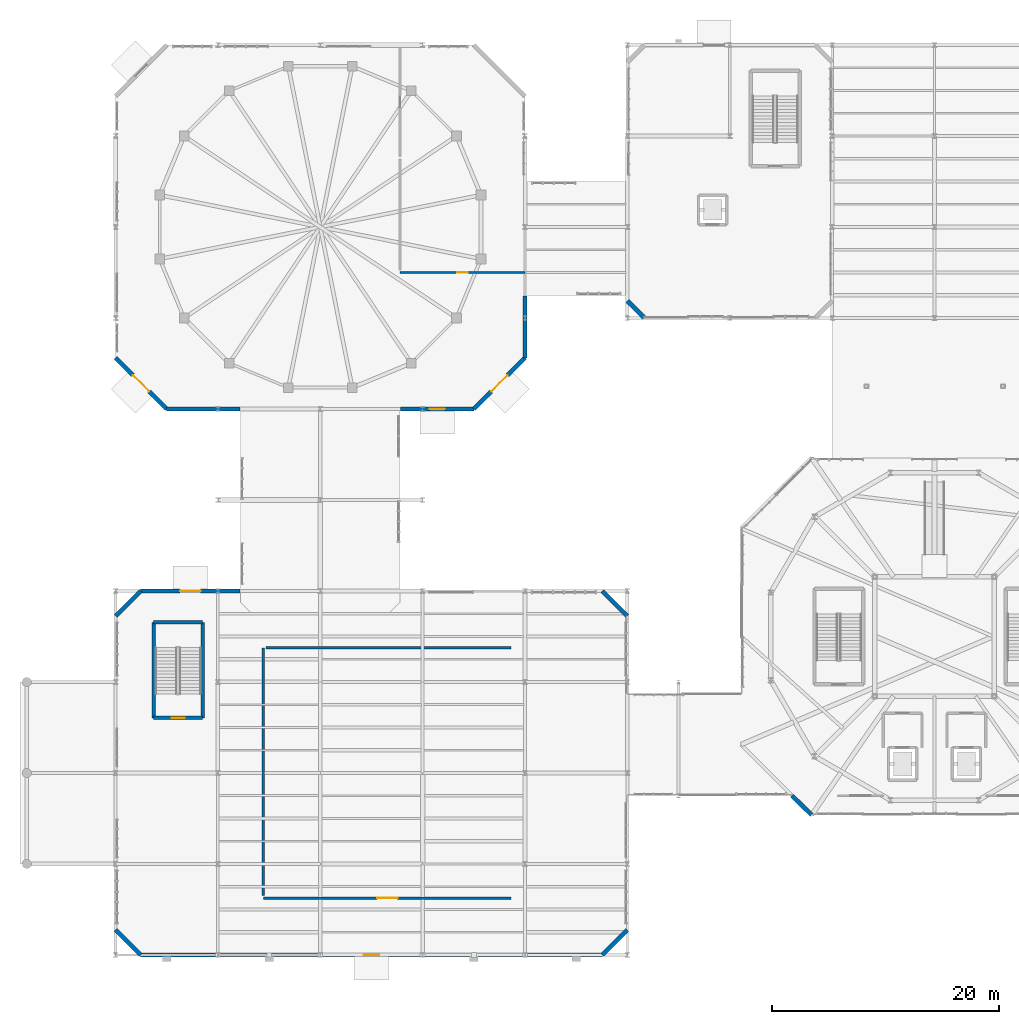
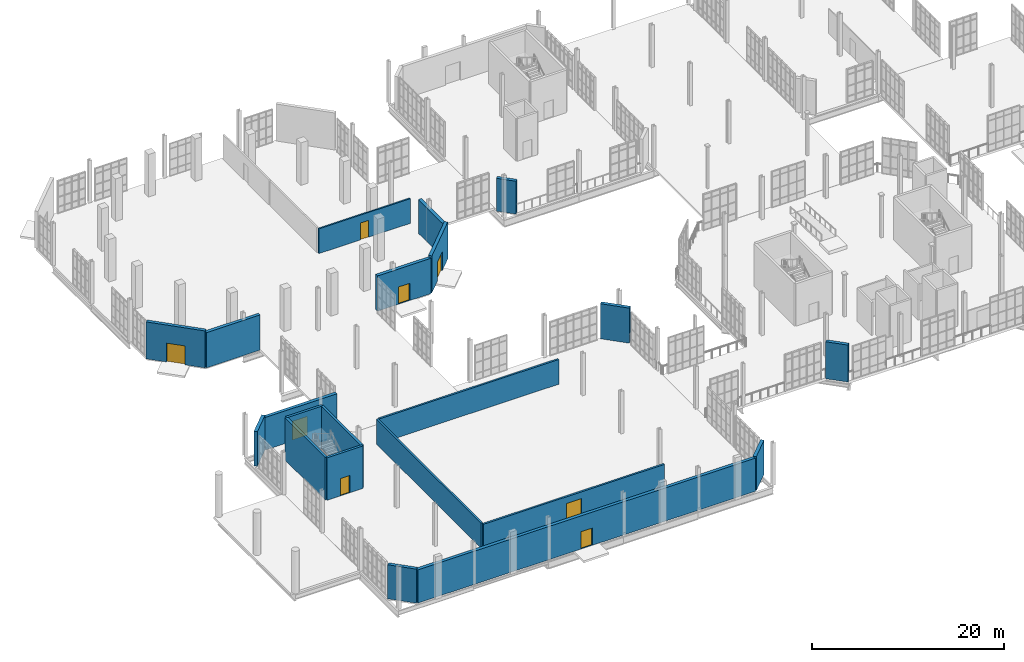
# One storey, part 172 of 189: 21 walls, 8 doors, 8 openings.
"""IFC4 building model written with IfcOpenShell, lengths in metres."""

import ifcopenshell
import ifcopenshell.guid

model = None  # the IFC model being written
_history = None  # IfcOwnerHistory: only IFC2X3 demands one
_inside = {}  # id of a spatial element -> (the spatial element, [elements in it])
_under = {}  # id of a project, library or spatial element -> (it, [spatial elements below it])
_declared = {}  # id of a project -> (the project, [libraries it declares])
_typed = {}  # id of a type object -> (the type object, [elements of that type])
_made_of = {}  # id of a material, layer set ... -> (it, [elements and type objects made of it])


def new_model(schema):
    """Start an empty IFC model of exactly this schema.

    Asked for "IFC4X3", IfcOpenShell would pick the latest addendum, in which some entities
    have other attributes; the version numbers below select the first issue.
    IFC2X3 requires an IfcOwnerHistory on every rooted entity: one is made here for all.
    """
    global model, _history
    if schema == "IFC4X3":
        model = ifcopenshell.file(schema_version=(4, 3, 0, 0))
    else:
        model = ifcopenshell.file(schema=schema)
    _inside.clear()
    _under.clear()
    _declared.clear()
    _typed.clear()
    _made_of.clear()
    _history = None
    if model.schema == "IFC2X3":
        org = make("IfcOrganization", Name="unknown")
        user = make(
            "IfcPersonAndOrganization",
            ThePerson=make("IfcPerson", FamilyName="unknown"),
            TheOrganization=org,
        )
        app = make(
            "IfcApplication",
            ApplicationDeveloper=org,
            Version="unknown",
            ApplicationFullName="unknown",
            ApplicationIdentifier="unknown",
        )
        _history = make(
            "IfcOwnerHistory",
            OwningUser=user,
            OwningApplication=app,
            ChangeAction="ADDED",
            CreationDate=0,
        )
    return model


def make(cls, **values):
    """One entity of the class cls with the attributes given. An attribute that is None is left unset."""
    return model.create_entity(
        cls, **{name: value for name, value in values.items() if value is not None}
    )


def rooted(cls, **values):
    """An entity with a GlobalId (a new one), such as an element, a storey or a relation."""
    return make(cls, GlobalId=ifcopenshell.guid.new(), OwnerHistory=_history, **values)


def si_unit(unit_type, name, prefix=None):
    """IfcSIUnit, for example si_unit("LENGTHUNIT", "METRE", prefix="MILLI")."""
    return make("IfcSIUnit", UnitType=unit_type, Prefix=prefix, Name=name)


def assignment(units):
    """IfcUnitAssignment: the units of a project."""
    return None if units is None else make("IfcUnitAssignment", Units=units)


def point(xyz):
    """IfcCartesianPoint."""
    return None if xyz is None else make("IfcCartesianPoint", Coordinates=xyz)


def direction(xyz):
    """IfcDirection."""
    return None if xyz is None else make("IfcDirection", DirectionRatios=xyz)


def frame(location, z_axis=None, x_axis=None):
    """IfcAxis2Placement3D, a coordinate frame: its origin and axes. An axis left out is left unset."""
    return make(
        "IfcAxis2Placement3D",
        Location=point(location),
        Axis=direction(z_axis),
        RefDirection=direction(x_axis),
    )


def frame_2d(location, x_axis=None):
    """IfcAxis2Placement2D, a coordinate frame in the plane: its origin and x axis."""
    return make(
        "IfcAxis2Placement2D", Location=point(location), RefDirection=direction(x_axis)
    )


def origin():
    """The frame at (0, 0, 0) with its axes left unset."""
    return frame((0.0, 0.0, 0.0))


def place(relative_to, where):
    """IfcLocalPlacement: puts the frame where relative to a parent placement (None: the world)."""
    return make(
        "IfcLocalPlacement", PlacementRelTo=relative_to, RelativePlacement=where
    )


def context(
    kind, dimensions, precision=None, world=None, true_north=None, identifier=None
):
    """IfcGeometricRepresentationContext, for example the 3D "Model" context."""
    return make(
        "IfcGeometricRepresentationContext",
        ContextIdentifier=identifier,
        ContextType=kind,
        CoordinateSpaceDimension=dimensions,
        Precision=precision,
        WorldCoordinateSystem=world,
        TrueNorth=true_north,
    )


def subcontext(parent, identifier, kind, view, scale=None):
    """IfcGeometricRepresentationSubContext, for example "Body" below "Model"."""
    return make(
        "IfcGeometricRepresentationSubContext",
        ContextIdentifier=identifier,
        ContextType=kind,
        ParentContext=parent,
        TargetScale=scale,
        TargetView=view,
    )


def project(units=None, contexts=None):
    """IfcProject with its units and contexts."""
    return rooted(
        "IfcProject",
        Name="project",
        RepresentationContexts=contexts,
        UnitsInContext=assignment(units),
    )


def spatial(cls, under=None, at=None, **own):
    """A site, building, storey or space (cls), placed at a placement, below another one or the project."""
    s = rooted(cls, ObjectPlacement=at, **own)
    if under is not None:
        _under.setdefault(under.id(), (under, []))[1].append(s)
    return s


def profile(cls, at=None, kind="AREA", **sizes):
    """A parametric profile (cls). Its sizes go by their IFC names, for example OverallWidth=200.0."""
    return make(cls, ProfileType=kind, Position=at, **sizes)


def rectangle(**sizes):
    """IfcRectangleProfileDef."""
    return profile("IfcRectangleProfileDef", **sizes)


def extrude(swept, where, along, depth):
    """IfcExtrudedAreaSolid: the profile swept, set in the frame where, extruded along a direction by depth."""
    return make(
        "IfcExtrudedAreaSolid",
        SweptArea=swept,
        Position=where,
        ExtrudedDirection=direction(along),
        Depth=depth,
    )


def shape(context_of_items, identifier, shape_type, items):
    """IfcShapeRepresentation: the items that make up one representation, for example the "Body"."""
    return make(
        "IfcShapeRepresentation",
        ContextOfItems=context_of_items,
        RepresentationIdentifier=identifier,
        RepresentationType=shape_type,
        Items=items,
    )


def material(Name=None, Category=None):
    """IfcMaterial."""
    return make("IfcMaterial", Name=Name, Category=Category)


def layer(
    of_material, thickness, ventilated=None, Name=None, Category=None, Priority=None
):
    """IfcMaterialLayer: one layer of a wall or slab, of a material (None: an air gap)."""
    return make(
        "IfcMaterialLayer",
        Material=of_material,
        LayerThickness=thickness,
        IsVentilated=ventilated,
        Name=Name,
        Category=Category,
        Priority=Priority,
    )


def layer_set(layers, Name=None):
    """IfcMaterialLayerSet."""
    return make("IfcMaterialLayerSet", MaterialLayers=layers, LayerSetName=Name)


def made_of(thing, what):
    """Note that an element or type object is made of a material, layer set ...; save() writes the relation."""
    if what is not None:
        _made_of.setdefault(what.id(), (what, []))[1].append(thing)
    return thing


def type_object(cls, material=None, **own):
    """A type object (cls), such as IfcWallType, which elements share."""
    return made_of(rooted(cls, **own), material)


def element(
    cls,
    number,
    at=None,
    inside=None,
    cuts=None,
    type_object=None,
    material=None,
    context=None,
    identifier="Body",
    shape_type=None,
    held_by="IfcProductDefinitionShape",
    body=None,
    shapes=None,
    **own,
):
    """One element of the class cls, such as IfcWall. Its Tag is "e" and its number.

    at: its placement. inside: the storey or other place that contains it. cuts: it is an
    opening in that element (IfcRelVoidsElement). A single representation is given by context,
    identifier, shape_type and body (its items); several are given by shapes. held_by: the class
    of the entity that holds the representations. save() writes the other relations.
    """
    e = rooted(cls, Tag="e%d" % number, ObjectPlacement=at, **own)
    if body is not None:
        shapes = [shape(context, identifier, shape_type, body)]
    if shapes is not None:
        e.Representation = make(held_by, Representations=shapes)
    if inside is not None:
        _inside.setdefault(inside.id(), (inside, []))[1].append(e)
    if cuts is not None:
        rooted(
            "IfcRelVoidsElement", RelatingBuildingElement=cuts, RelatedOpeningElement=e
        )
    if type_object is not None:
        _typed.setdefault(type_object.id(), (type_object, []))[1].append(e)
    return made_of(e, material)


def fill(opening, filler):
    """IfcRelFillsElement: the door or window that sits in an opening."""
    return rooted(
        "IfcRelFillsElement",
        RelatingOpeningElement=opening,
        RelatedBuildingElement=filler,
    )


def aggregate(whole, parts):
    """IfcRelAggregates: a whole, such as a stair, and the parts it consists of."""
    return rooted("IfcRelAggregates", RelatingObject=whole, RelatedObjects=parts)


def save(model, path):
    """Write the relations noted so far, then the file.

    IfcRelAggregates (storeys below a building ...), IfcRelContainedInSpatialStructure (elements
    in a storey), IfcRelDefinesByType, IfcRelAssociatesMaterial and IfcRelDeclares: one each for
    every whole, place, type object, material and project.
    """
    for whole, parts in _under.values():
        aggregate(whole, parts)
    for where, things in _inside.values():
        rooted(
            "IfcRelContainedInSpatialStructure",
            RelatedElements=things,
            RelatingStructure=where,
        )
    for kind, things in _typed.values():
        rooted("IfcRelDefinesByType", RelatedObjects=things, RelatingType=kind)
    for what, things in _made_of.values():
        rooted("IfcRelAssociatesMaterial", RelatedObjects=things, RelatingMaterial=what)
    for by, libraries in _declared.values():
        rooted("IfcRelDeclares", RelatingContext=by, RelatedDefinitions=libraries)
    model.write(path)


model = new_model("IFC4")

# Units and contexts
model_context = context("Model", 3, precision=1e-05, world=origin(), true_north=direction((0.0, 1.0)))
body_context = subcontext(model_context, "Body", "Model", "MODEL_VIEW")
ifc_project = project(units=[si_unit("LENGTHUNIT", "METRE"), si_unit("AREAUNIT", "SQUARE_METRE"), si_unit("VOLUMEUNIT", "CUBIC_METRE"), si_unit("PLANEANGLEUNIT", "RADIAN"), si_unit("MASSUNIT", "GRAM", prefix="KILO"), si_unit("THERMODYNAMICTEMPERATUREUNIT", "KELVIN"), si_unit("POWERUNIT", "WATT")], contexts=[model_context])

# Site, building, storey
site_placement = place(None, origin())
site = spatial("IfcSite", under=ifc_project, at=site_placement, CompositionType="ELEMENT")
building_placement = place(site_placement, origin())
building = spatial("IfcBuilding", under=site, at=building_placement, Name="Zelmaris Science Centre", CompositionType="ELEMENT")
storey_placement = place(building_placement, origin())
storey = spatial("IfcBuildingStorey", under=building, at=storey_placement, Name="L00", CompositionType="ELEMENT", Elevation=0.0)

# Wall, opening, door
ifc_material_1 = material(Name="Concrete C40/50", Category="concrete")
ifc_layer_1 = layer(ifc_material_1, 0.300048828125, Name="Concrete C40/50")
ifc_layer_set_1 = layer_set([ifc_layer_1], Name="Concrete C40/50")
wall_type_1 = type_object("IfcWallType", Name="Core Shear Wall CW-S1 300mm", PredefinedType="SOLIDWALL", material=ifc_layer_set_1)
wall_1_placement = place(storey_placement, frame((16.64990234375, 28.85009765625, 0.0), z_axis=(0.0, 0.0, 1.0), x_axis=(-1.0, 0.0, 0.0)))
wall_1 = element("IfcWall", 1, at=wall_1_placement, inside=storey, type_object=wall_type_1, Name="L00 ST-6 core shear wall near", PredefinedType="SOLIDWALL", context=body_context, shape_type="SweptSolid", body=[
    extrude(rectangle(XDim=4.2998046875, YDim=0.300048828125, at=frame_2d((2.14990234375, 0.0))), origin(), (0.0, 0.0, 1.0), 5.39990234375),
])
opening_1_placement = place(wall_1_placement, frame((1.574951171875, 0.0, 0.0)))
opening_1 = element("IfcOpeningElement", 2, at=opening_1_placement, cuts=wall_1, Name="Opening D-FD90", PredefinedType="OPENING", context=body_context, shape_type="SweptSolid", body=[
    extrude(rectangle(XDim=1.14990234375, YDim=2.199951171875, at=frame_2d((0.574951171875, 1.10009765625))), frame((0.0, 0.159912109375, 0.0), z_axis=(0.0, -1.0, 0.0), x_axis=(1.0, 0.0, 0.0)), (0.0, 0.0, 1.0), 0.320068359375),
])
ifc_material_2 = material(Name="Steel ASTM A36", Category="steel")
door_type_1 = type_object("IfcDoorType", Name="Interior Door D-FD90 1150x2200", OperationType="NOTDEFINED", PredefinedType="DOOR", material=ifc_material_2)
door_1_placement = place(opening_1_placement, origin())
door_1 = element("IfcDoor", 3, at=door_1_placement, inside=storey, type_object=door_type_1, Name="L00 ST-6 exit stair fire door", OperationType="SINGLE_SWING_LEFT", OverallHeight=2.199951171875, OverallWidth=1.14990234375, PredefinedType="DOOR", context=body_context, shape_type="SweptSolid", body=[
    extrude(rectangle(XDim=1.14990234375, YDim=2.199951171875, at=frame_2d((0.574951171875, 1.10009765625))), frame((0.0, 0.02490234375, 0.0), z_axis=(0.0, -1.0, 0.0), x_axis=(1.0, 0.0, 0.0)), (0.0, 0.0, 1.0), 0.050048828125),
])
fill(opening_1, door_1)

# Walls
wall_2_placement = place(storey_placement, frame((16.64990234375, 28.85009765625, 0.0), z_axis=(0.0, 0.0, 1.0), x_axis=(0.0, 1.0, 0.0)))
element("IfcWall", 4, at=wall_2_placement, inside=storey, type_object=wall_type_1, Name="L00 ST-6 core shear wall east", PredefinedType="SOLIDWALL", context=body_context, shape_type="SweptSolid", body=[
    extrude(rectangle(XDim=8.39990234375, YDim=0.300048828125, at=frame_2d((4.199951171875, 0.0))), origin(), (0.0, 0.0, 1.0), 5.39990234375),
])
wall_3_placement = place(storey_placement, frame((16.64990234375, 37.25, 0.0), z_axis=(0.0, 0.0, 1.0), x_axis=(-1.0, 0.0, 0.0)))
element("IfcWall", 5, at=wall_3_placement, inside=storey, type_object=wall_type_1, Name="L00 ST-6 core shear wall far", PredefinedType="SOLIDWALL", context=body_context, shape_type="SweptSolid", body=[
    extrude(rectangle(XDim=4.2998046875, YDim=0.300048828125, at=frame_2d((2.14990234375, 0.0))), origin(), (0.0, 0.0, 1.0), 5.39990234375),
])
wall_4_placement = place(storey_placement, frame((12.35009765625, 28.85009765625, 0.0), z_axis=(0.0, 0.0, 1.0), x_axis=(0.0, 1.0, 0.0)))
element("IfcWall", 6, at=wall_4_placement, inside=storey, type_object=wall_type_1, Name="L00 ST-6 core shear wall west", PredefinedType="SOLIDWALL", context=body_context, shape_type="SweptSolid", body=[
    extrude(rectangle(XDim=8.39990234375, YDim=0.300048828125, at=frame_2d((4.199951171875, 0.0))), origin(), (0.0, 0.0, 1.0), 5.39990234375),
])
ifc_material_3 = material(Name="Yucatan limestone ashlar masonry", Category="masonry")
ifc_layer_2 = layer(ifc_material_3, 0.3798828125, Name="Yucatan limestone ashlar masonry")
ifc_layer_set_2 = layer_set([ifc_layer_2], Name="Yucatan limestone ashlar masonry")
wall_type_2 = type_object("IfcWallType", Name="Exterior Wall EW-01 380mm", PredefinedType="SOLIDWALL", material=ifc_layer_set_2)
wall_5_placement = place(storey_placement, frame((9.0, 37.800048828125, 0.0), z_axis=(0.0, 0.0, 1.0), x_axis=(0.707106781187, 0.707106781187, 0.0)))
element("IfcWall", 7, at=wall_5_placement, inside=storey, type_object=wall_type_2, Name="L00 Exterior wall 1", PredefinedType="SOLIDWALL", context=body_context, shape_type="SweptSolid", body=[
    extrude(rectangle(XDim=3.111083984375, YDim=0.3798828125, at=frame_2d((1.5556640625, 0.0))), origin(), (0.0, 0.0, 1.0), 4.406982421875),
])

# Wall, opening, door
wall_6_placement = place(storey_placement, frame((11.199951171875, 40.0, 0.0), z_axis=(0.0, 0.0, 1.0), x_axis=(1.0, 0.0, 0.0)))
wall_6 = element("IfcWall", 8, at=wall_6_placement, inside=storey, type_object=wall_type_2, Name="L00 Exterior wall 2", PredefinedType="SOLIDWALL", context=body_context, shape_type="SweptSolid", body=[
    extrude(rectangle(XDim=8.739990234375, YDim=0.3798828125, at=frame_2d((4.3701171875, 0.0))), origin(), (0.0, 0.0, 1.0), 4.153076171875),
])
opening_2_placement = place(wall_6_placement, frame((3.469970703125, 0.0, 0.0)))
opening_2 = element("IfcOpeningElement", 9, at=opening_2_placement, cuts=wall_6, Name="Opening D-EX1", PredefinedType="OPENING", context=body_context, shape_type="SweptSolid", body=[
    extrude(rectangle(XDim=1.800048828125, YDim=2.39990234375, at=frame_2d((0.89990234375, 1.199951171875))), frame((0.0, 0.199951171875, 0.0), z_axis=(0.0, -1.0, 0.0), x_axis=(1.0, 0.0, 0.0)), (0.0, 0.0, 1.0), 0.39990234375),
])
ifc_material_4 = material(Name="Architectural bronze alloy C28000")
door_type_2 = type_object("IfcDoorType", Name="Exterior Door D-EX1 1800x2400", OperationType="NOTDEFINED", PredefinedType="DOOR", material=ifc_material_4)
door_2_placement = place(opening_2_placement, origin())
door_2 = element("IfcDoor", 10, at=door_2_placement, inside=storey, type_object=door_type_2, Name="Main entrance exit E01", OperationType="SINGLE_SWING_LEFT", OverallHeight=2.39990234375, OverallWidth=1.800048828125, PredefinedType="DOOR", context=body_context, shape_type="SweptSolid", body=[
    extrude(rectangle(XDim=1.800048828125, YDim=2.39990234375, at=frame_2d((0.89990234375, 1.199951171875))), frame((0.0, 0.02490234375, 0.0), z_axis=(0.0, -1.0, 0.0), x_axis=(1.0, 0.0, 0.0)), (0.0, 0.0, 1.0), 0.050048828125),
])
fill(opening_2, door_2)

# Wall
wall_7_placement = place(storey_placement, frame((19.93994140625, 56.0, 0.0), z_axis=(0.0, 0.0, 1.0), x_axis=(-1.0, 0.0, 0.0)))
element("IfcWall", 11, at=wall_7_placement, inside=storey, type_object=wall_type_2, Name="L00 Exterior wall 3", PredefinedType="SOLIDWALL", context=body_context, shape_type="SweptSolid", body=[
    extrude(rectangle(XDim=6.43994140625, YDim=0.3798828125, at=frame_2d((3.219970703125, 0.0))), origin(), (0.0, 0.0, 1.0), 4.472900390625),
])

# Wall, opening, door
wall_8_placement = place(storey_placement, frame((13.5, 56.0, 0.0), z_axis=(0.0, 0.0, 1.0), x_axis=(-0.707106781187, 0.707106781187, 0.0)))
wall_8 = element("IfcWall", 12, at=wall_8_placement, inside=storey, type_object=wall_type_2, Name="L00 Exterior wall 4", PredefinedType="SOLIDWALL", context=body_context, shape_type="SweptSolid", body=[
    extrude(rectangle(XDim=6.364013671875, YDim=0.3798828125, at=frame_2d((3.18212890625, 0.0))), origin(), (0.0, 0.0, 1.0), 4.699951171875),
])
opening_3_placement = place(wall_8_placement, frame((2.181884765625, 0.0, 0.0)))
opening_3 = element("IfcOpeningElement", 13, at=opening_3_placement, cuts=wall_8, Name="Opening D-EX2", PredefinedType="OPENING", context=body_context, shape_type="SweptSolid", body=[
    extrude(rectangle(XDim=2.0, YDim=2.39990234375, at=frame_2d((1.0, 1.199951171875))), frame((0.0, 0.199951171875, 0.0), z_axis=(0.0, -1.0, 0.0), x_axis=(1.0, 0.0, 0.0)), (0.0, 0.0, 1.0), 0.39990234375),
])
door_type_3 = type_object("IfcDoorType", Name="Exterior Door D-EX2 2000x2400", OperationType="NOTDEFINED", PredefinedType="DOOR", material=ifc_material_4)
door_3_placement = place(opening_3_placement, origin())
door_3 = element("IfcDoor", 14, at=door_3_placement, inside=storey, type_object=door_type_3, Name="Main entrance exit E02", OperationType="SINGLE_SWING_RIGHT", OverallHeight=2.39990234375, OverallWidth=2.0, PredefinedType="DOOR", context=body_context, shape_type="SweptSolid", body=[
    extrude(rectangle(XDim=2.0, YDim=2.39990234375, at=frame_2d((1.0, 1.199951171875))), frame((0.0, 0.02490234375, 0.0), z_axis=(0.0, -1.0, 0.0), x_axis=(1.0, 0.0, 0.0)), (0.0, 0.0, 1.0), 0.050048828125),
])
fill(opening_3, door_3)

# Walls
wall_9_placement = place(storey_placement, frame((55.5, 64.0, 0.0), z_axis=(0.0, 0.0, 1.0), x_axis=(-0.707106781187, 0.707106781187, 0.0)))
element("IfcWall", 15, at=wall_9_placement, inside=storey, type_object=wall_type_2, Name="L00 Exterior wall 11", PredefinedType="SOLIDWALL", context=body_context, shape_type="SweptSolid", body=[
    extrude(rectangle(XDim=2.121337890625, YDim=0.3798828125, at=frame_2d((1.060546875, 0.0))), origin(), (0.0, 0.0, 1.0), 4.173095703125),
])
wall_10_placement = place(storey_placement, frame((45.0, 65.93994140625, 0.0), z_axis=(0.0, 0.0, 1.0), x_axis=(0.0, -1.0, 0.0)))
element("IfcWall", 16, at=wall_10_placement, inside=storey, type_object=wall_type_2, Name="L00 Exterior wall 12", PredefinedType="SOLIDWALL", context=body_context, shape_type="SweptSolid", body=[
    extrude(rectangle(XDim=5.43994140625, YDim=0.3798828125, at=frame_2d((2.719970703125, 0.0))), origin(), (0.0, 0.0, 1.0), 4.304931640625),
])

# Wall, opening, door
wall_11_placement = place(storey_placement, frame((45.0, 60.5, 0.0), z_axis=(0.0, 0.0, 1.0), x_axis=(-0.707106781187, -0.707106781187, 0.0)))
wall_11 = element("IfcWall", 17, at=wall_11_placement, inside=storey, type_object=wall_type_2, Name="L00 Exterior wall 13", PredefinedType="SOLIDWALL", context=body_context, shape_type="SweptSolid", body=[
    extrude(rectangle(XDim=6.362548828125, YDim=0.3798828125, at=frame_2d((3.18115234375, 0.0))), origin(), (0.0, 0.0, 1.0), 4.699951171875),
])
opening_4_placement = place(wall_11_placement, frame((2.18115234375, 0.0, 0.0)))
opening_4 = element("IfcOpeningElement", 18, at=opening_4_placement, cuts=wall_11, Name="Opening D-EX2", PredefinedType="OPENING", context=body_context, shape_type="SweptSolid", body=[
    extrude(rectangle(XDim=2.0, YDim=2.39990234375, at=frame_2d((1.0, 1.199951171875))), frame((0.0, 0.199951171875, 0.0), z_axis=(0.0, -1.0, 0.0), x_axis=(1.0, 0.0, 0.0)), (0.0, 0.0, 1.0), 0.39990234375),
])
door_4_placement = place(opening_4_placement, origin())
door_4 = element("IfcDoor", 19, at=door_4_placement, inside=storey, type_object=door_type_3, Name="Main entrance exit E05", OperationType="SINGLE_SWING_LEFT", OverallHeight=2.39990234375, OverallWidth=2.0, PredefinedType="DOOR", context=body_context, shape_type="SweptSolid", body=[
    extrude(rectangle(XDim=2.0, YDim=2.39990234375, at=frame_2d((1.0, 1.199951171875))), frame((0.0, 0.02490234375, 0.0), z_axis=(0.0, -1.0, 0.0), x_axis=(1.0, 0.0, 0.0)), (0.0, 0.0, 1.0), 0.050048828125),
])
fill(opening_4, door_4)

wall_12_placement = place(storey_placement, frame((40.5009765625, 56.0009765625, 0.0), z_axis=(0.0, 0.0, 1.0), x_axis=(-0.999999988506, -0.000151618526, 0.0)))
wall_12 = element("IfcWall", 20, at=wall_12_placement, inside=storey, type_object=wall_type_2, Name="L00 Exterior wall 14", PredefinedType="SOLIDWALL", context=body_context, shape_type="SweptSolid", body=[
    extrude(rectangle(XDim=6.44091796875, YDim=0.3798828125, at=frame_2d((3.220458984375, 0.0))), origin(), (0.0, 0.0, 1.0), 4.48291015625),
])
opening_5_placement = place(wall_12_placement, frame((2.54541015625, 0.0, 0.0)))
opening_5 = element("IfcOpeningElement", 21, at=opening_5_placement, cuts=wall_12, Name="Opening D-EX5", PredefinedType="OPENING", context=body_context, shape_type="SweptSolid", body=[
    extrude(rectangle(XDim=1.35009765625, YDim=2.199951171875, at=frame_2d((0.675048828125, 1.10009765625))), frame((0.0, 0.199951171875, 0.0), z_axis=(0.0, -1.0, 0.0), x_axis=(1.0, 0.0, 0.0)), (0.0, 0.0, 1.0), 0.39990234375),
])
door_type_4 = type_object("IfcDoorType", Name="Exterior Door D-EX5 1350x2200", OperationType="NOTDEFINED", PredefinedType="DOOR", material=ifc_material_2)
door_5_placement = place(opening_5_placement, origin())
door_5 = element("IfcDoor", 22, at=door_5_placement, inside=storey, type_object=door_type_4, Name="Main entrance exit E06", OperationType="SINGLE_SWING_RIGHT", OverallHeight=2.199951171875, OverallWidth=1.35009765625, PredefinedType="DOOR", context=body_context, shape_type="SweptSolid", body=[
    extrude(rectangle(XDim=1.35009765625, YDim=2.199951171875, at=frame_2d((0.675048828125, 1.10009765625))), frame((0.0, 0.02490234375, 0.0), z_axis=(0.0, -1.0, 0.0), x_axis=(1.0, 0.0, 0.0)), (0.0, 0.0, 1.0), 0.050048828125),
])
fill(opening_5, door_5)

# Walls
wall_13_placement = place(storey_placement, frame((51.800048828125, 40.0, 0.0), z_axis=(0.0, 0.0, 1.0), x_axis=(0.707106781187, -0.707106781187, 0.0)))
element("IfcWall", 23, at=wall_13_placement, inside=storey, type_object=wall_type_2, Name="L00 Exterior wall 15", PredefinedType="SOLIDWALL", context=body_context, shape_type="SweptSolid", body=[
    extrude(rectangle(XDim=3.111083984375, YDim=0.3798828125, at=frame_2d((1.5556640625, 0.0))), origin(), (0.0, 0.0, 1.0), 4.4580078125),
])
wall_14_placement = place(storey_placement, frame((70.201416015625, 20.300048828125, 0.0), z_axis=(0.0, 0.0, 1.0), x_axis=(-0.711384076748, 0.702803454281, 0.0)))
element("IfcWall", 24, at=wall_14_placement, inside=storey, type_object=wall_type_2, Name="L00 Exterior wall 24", PredefinedType="SOLIDWALL", context=body_context, shape_type="SweptSolid", body=[
    extrude(rectangle(XDim=2.41845703125, YDim=0.3798828125, at=frame_2d((1.209228515625, 0.0))), origin(), (0.0, 0.0, 1.0), 4.699951171875),
])
wall_15_placement = place(storey_placement, frame((54.0, 10.199951171875, 0.0), z_axis=(0.0, 0.0, 1.0), x_axis=(-0.707106781187, -0.707106781187, 0.0)))
element("IfcWall", 25, at=wall_15_placement, inside=storey, type_object=wall_type_2, Name="L00 Exterior wall 25", PredefinedType="SOLIDWALL", context=body_context, shape_type="SweptSolid", body=[
    extrude(rectangle(XDim=3.111083984375, YDim=0.3798828125, at=frame_2d((1.5556640625, 0.0))), origin(), (0.0, 0.0, 1.0), 4.3310546875),
])

# Wall, opening, door
wall_16_placement = place(storey_placement, frame((51.800048828125, 8.0, 0.0), z_axis=(0.0, 0.0, 1.0), x_axis=(-1.0, 0.0, 0.0)))
wall_16 = element("IfcWall", 26, at=wall_16_placement, inside=storey, type_object=wall_type_2, Name="L00 Exterior wall 26", PredefinedType="SOLIDWALL", context=body_context, shape_type="SweptSolid", body=[
    extrude(rectangle(XDim=40.60009765625, YDim=0.3798828125, at=frame_2d((20.300048828125, 0.0))), origin(), (0.0, 0.0, 1.0), 4.22412109375),
])
opening_6_placement = place(wall_16_placement, frame((19.625, 0.0, 0.0)))
opening_6 = element("IfcOpeningElement", 27, at=opening_6_placement, cuts=wall_16, Name="Opening D-EX5", PredefinedType="OPENING", context=body_context, shape_type="SweptSolid", body=[
    extrude(rectangle(XDim=1.35009765625, YDim=2.199951171875, at=frame_2d((0.675048828125, 1.10009765625))), frame((0.0, 0.199951171875, 0.0), z_axis=(0.0, -1.0, 0.0), x_axis=(1.0, 0.0, 0.0)), (0.0, 0.0, 1.0), 0.39990234375),
])
door_6_placement = place(opening_6_placement, origin())
door_6 = element("IfcDoor", 28, at=door_6_placement, inside=storey, type_object=door_type_4, Name="Main entrance exit E09", OperationType="SINGLE_SWING_LEFT", OverallHeight=2.199951171875, OverallWidth=1.35009765625, PredefinedType="DOOR", context=body_context, shape_type="SweptSolid", body=[
    extrude(rectangle(XDim=1.35009765625, YDim=2.199951171875, at=frame_2d((0.675048828125, 1.10009765625))), frame((0.0, 0.02490234375, 0.0), z_axis=(0.0, -1.0, 0.0), x_axis=(1.0, 0.0, 0.0)), (0.0, 0.0, 1.0), 0.050048828125),
])
fill(opening_6, door_6)

# Wall
wall_17_placement = place(storey_placement, frame((11.199951171875, 8.0, 0.0), z_axis=(0.0, 0.0, 1.0), x_axis=(-0.707106781187, 0.707106781187, 0.0)))
element("IfcWall", 29, at=wall_17_placement, inside=storey, type_object=wall_type_2, Name="L00 Exterior wall 27", PredefinedType="SOLIDWALL", context=body_context, shape_type="SweptSolid", body=[
    extrude(rectangle(XDim=3.111083984375, YDim=0.3798828125, at=frame_2d((1.5556640625, 0.0))), origin(), (0.0, 0.0, 1.0), 4.327880859375),
])

# Wall, opening, door
ifc_material_5 = material(Name="Autoclaved aerated concrete blockwork", Category="masonry")
ifc_layer_3 = layer(ifc_material_5, 0.219970703125, Name="Autoclaved aerated concrete blockwork")
ifc_layer_set_3 = layer_set([ifc_layer_3], Name="Autoclaved aerated concrete blockwork")
wall_type_3 = type_object("IfcWallType", Name="Interior Wall FW-02 220mm", PredefinedType="SOLIDWALL", material=ifc_layer_set_3)
wall_18_placement = place(storey_placement, frame((43.780029296875, 13.0, 0.0), z_axis=(0.0, 0.0, 1.0), x_axis=(-1.0, 0.0, 0.0)))
wall_18 = element("IfcWall", 30, at=wall_18_placement, inside=storey, type_object=wall_type_3, Name="L00 Large-Format Theatre Lower Bowl partition 30", PredefinedType="SOLIDWALL", context=body_context, shape_type="SweptSolid", body=[
    extrude(rectangle(XDim=21.775146484375, YDim=0.219970703125, at=frame_2d((10.8876953125, 0.0))), origin(), (0.0, 0.0, 1.0), 3.14990234375),
])
opening_7_placement = place(wall_18_placement, frame((9.987548828125, 0.0, 0.0)))
opening_7 = element("IfcOpeningElement", 31, at=opening_7_placement, cuts=wall_18, Name="Opening D-IN4", PredefinedType="OPENING", context=body_context, shape_type="SweptSolid", body=[
    extrude(rectangle(XDim=1.800048828125, YDim=2.300048828125, at=frame_2d((0.89990234375, 1.14990234375))), frame((0.0, 0.119873046875, 0.0), z_axis=(0.0, -1.0, 0.0), x_axis=(1.0, 0.0, 0.0)), (0.0, 0.0, 1.0), 0.239990234375),
])
ifc_material_6 = material(Name="Solid tropical tzalam hardwood", Category="wood")
door_type_5 = type_object("IfcDoorType", Name="Interior Door D-IN4 1800x2300", OperationType="NOTDEFINED", PredefinedType="DOOR", material=ifc_material_6)
door_7_placement = place(opening_7_placement, origin())
door_7 = element("IfcDoor", 32, at=door_7_placement, inside=storey, type_object=door_type_5, Name="L00 Large-Format Theatre Lower Bowl door", OperationType="SINGLE_SWING_RIGHT", OverallHeight=2.300048828125, OverallWidth=1.800048828125, PredefinedType="DOOR", context=body_context, shape_type="SweptSolid", body=[
    extrude(rectangle(XDim=1.800048828125, YDim=2.300048828125, at=frame_2d((0.89990234375, 1.14990234375))), frame((0.0, 0.02490234375, 0.0), z_axis=(0.0, -1.0, 0.0), x_axis=(1.0, 0.0, 0.0)), (0.0, 0.0, 1.0), 0.050048828125),
])
fill(opening_7, door_7)

# Walls
wall_19_placement = place(storey_placement, frame((22.0048828125, 13.219970703125, 0.0), z_axis=(0.0, 0.0, 1.0), x_axis=(0.0, 1.0, 0.0)))
element("IfcWall", 33, at=wall_19_placement, inside=storey, type_object=wall_type_3, Name="L00 Large-Format Theatre Lower Bowl partition 31", PredefinedType="SOLIDWALL", context=body_context, shape_type="SweptSolid", body=[
    extrude(rectangle(XDim=21.780029296875, YDim=0.219970703125, at=frame_2d((10.89013671875, 0.0))), origin(), (0.0, 0.0, 1.0), 3.14990234375),
])
wall_20_placement = place(storey_placement, frame((22.22509765625, 35.0, 0.0), z_axis=(0.0, 0.0, 1.0), x_axis=(1.0, 0.0, 0.0)))
element("IfcWall", 34, at=wall_20_placement, inside=storey, type_object=wall_type_3, Name="L00 Large-Format Theatre Lower Bowl partition 32", PredefinedType="SOLIDWALL", context=body_context, shape_type="SweptSolid", body=[
    extrude(rectangle(XDim=21.554931640625, YDim=0.219970703125, at=frame_2d((10.77734375, 0.0))), origin(), (0.0, 0.0, 1.0), 3.14990234375),
])

# Wall, opening, door
ifc_layer_4 = layer(ifc_material_5, 0.179931640625, Name="Autoclaved aerated concrete blockwork")
ifc_layer_set_4 = layer_set([ifc_layer_4], Name="Autoclaved aerated concrete blockwork")
wall_type_4 = type_object("IfcWallType", Name="Interior Wall PT-04 180mm", PredefinedType="PARTITIONING", material=ifc_layer_set_4)
wall_21_placement = place(storey_placement, frame((45.0, 68.0048828125, 0.0), z_axis=(0.0, 0.0, 1.0), x_axis=(-1.0, 0.0, 0.0)))
wall_21 = element("IfcWall", 35, at=wall_21_placement, inside=storey, type_object=wall_type_4, Name="L00 Planetarium Public WC partition 26", PredefinedType="PARTITIONING", context=body_context, shape_type="SweptSolid", body=[
    extrude(rectangle(XDim=10.9951171875, YDim=0.179931640625, at=frame_2d((5.49755859375, 0.0))), origin(), (0.0, 0.0, 1.0), 3.14990234375),
])
opening_8_placement = place(wall_21_placement, frame((5.0224609375, 0.0, 0.0)))
opening_8 = element("IfcOpeningElement", 36, at=opening_8_placement, cuts=wall_21, Name="Opening D-IN2", PredefinedType="OPENING", context=body_context, shape_type="SweptSolid", body=[
    extrude(rectangle(XDim=0.949951171875, YDim=2.14990234375, at=frame_2d((0.47509765625, 1.074951171875))), frame((0.0, 0.099853515625, 0.0), z_axis=(0.0, -1.0, 0.0), x_axis=(1.0, 0.0, 0.0)), (0.0, 0.0, 1.0), 0.199951171875),
])
door_type_6 = type_object("IfcDoorType", Name="Interior Door D-IN2 950x2150", OperationType="NOTDEFINED", PredefinedType="DOOR", material=ifc_material_6)
door_8_placement = place(opening_8_placement, origin())
door_8 = element("IfcDoor", 37, at=door_8_placement, inside=storey, type_object=door_type_6, Name="L00 Planetarium Public WC door", OperationType="SINGLE_SWING_RIGHT", OverallHeight=2.14990234375, OverallWidth=0.949951171875, PredefinedType="DOOR", context=body_context, shape_type="SweptSolid", body=[
    extrude(rectangle(XDim=0.949951171875, YDim=2.14990234375, at=frame_2d((0.47509765625, 1.074951171875))), frame((0.0, 0.02490234375, 0.0), z_axis=(0.0, -1.0, 0.0), x_axis=(1.0, 0.0, 0.0)), (0.0, 0.0, 1.0), 0.050048828125),
])
fill(opening_8, door_8)

save(model, "model.ifc")
